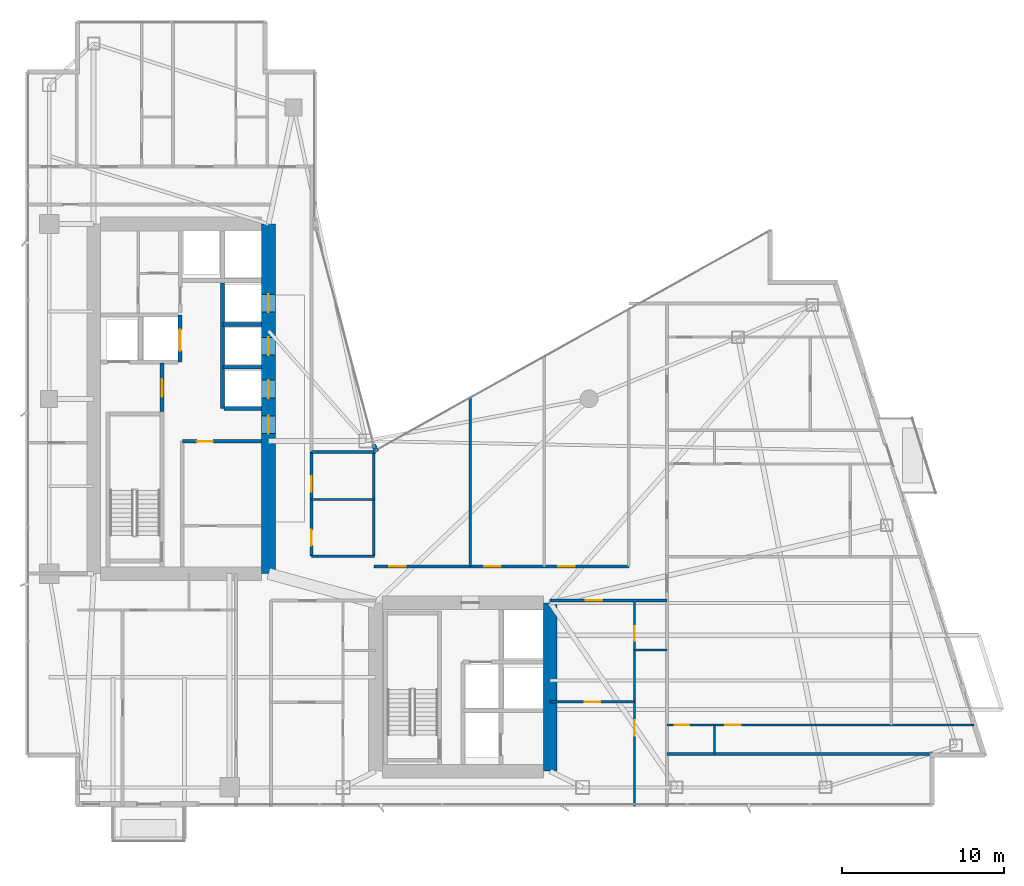
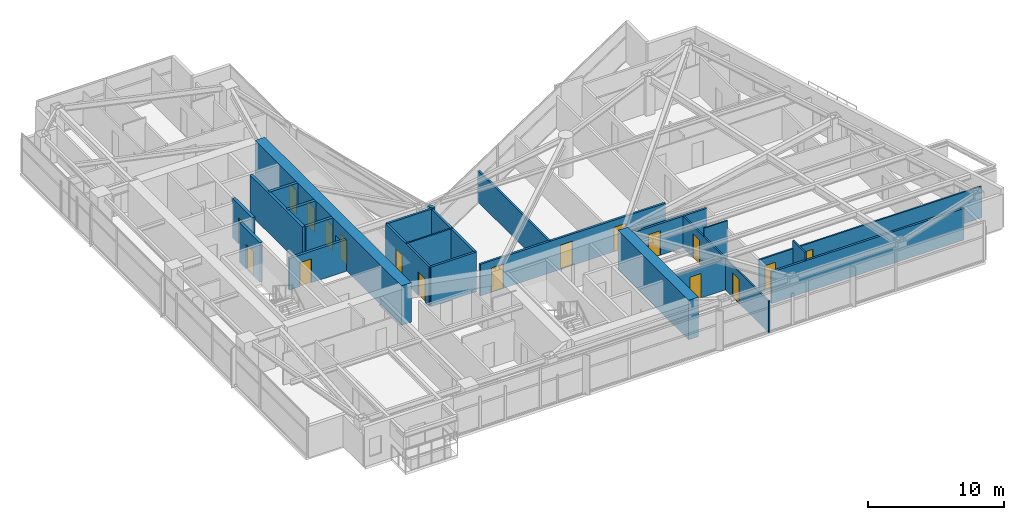
# One storey, part 23 of 28: 24 walls, 18 doors, 18 openings.
"""IFC4 building model written with IfcOpenShell, lengths in metres."""

from ifc_helpers import new_model, si_unit, direction, frame, frame_2d, origin, place, context, subcontext, project, spatial, rectangle, extrude, material, layer, layer_set, type_object, element, fill, save


model = new_model("IFC4")

# Units and contexts
model_context = context("Model", 3, precision=1e-05, world=origin(), true_north=direction((0.0, 1.0)))
body_context = subcontext(model_context, "Body", "Model", "MODEL_VIEW")
ifc_project = project(units=[si_unit("LENGTHUNIT", "METRE"), si_unit("AREAUNIT", "SQUARE_METRE"), si_unit("VOLUMEUNIT", "CUBIC_METRE"), si_unit("PLANEANGLEUNIT", "RADIAN"), si_unit("MASSUNIT", "GRAM", prefix="KILO")], contexts=[model_context])

# Site, building, storey
site_placement = place(None, origin())
site = spatial("IfcSite", under=ifc_project, at=site_placement, CompositionType="ELEMENT")
building_placement = place(site_placement, origin())
building = spatial("IfcBuilding", under=site, at=building_placement, Name="Calvorn Quay Hotel", CompositionType="ELEMENT")
storey_placement = place(building_placement, frame((0.0, 0.0, 116.39990234375)))
storey = spatial("IfcBuildingStorey", under=building, at=storey_placement, Name="L28", CompositionType="ELEMENT", Elevation=116.39990234375)

# Wall, openings, doors
ifc_material_1 = material(Name="Concrete C50", Category="concrete")
ifc_layer_1 = layer(ifc_material_1, 0.85009765625)
ifc_layer_set_1 = layer_set([ifc_layer_1], Name="WL-CORE-850")
wall_type_1 = type_object("IfcWallType", Name="WL-CORE-850", PredefinedType="SHEAR", material=ifc_layer_set_1)
wall_1_placement = place(storey_placement, frame((15.0, 16.800048828125, 0.0), z_axis=(0.0, 0.0, 1.0), x_axis=(0.0, 1.0, 0.0)))
wall_1 = element("IfcWall", 1, at=wall_1_placement, inside=storey, type_object=wall_type_1, Name="West Core Shear Wall E (L28)", PredefinedType="SHEAR", context=body_context, shape_type="SweptSolid", body=[
    extrude(rectangle(XDim=21.599853515625, YDim=0.85009765625, at=frame_2d((10.7998046875, 0.0))), origin(), (0.0, 0.0, 1.0), 3.56005859375),
])
opening_1_placement = place(wall_1_placement, frame((8.64990234375, 0.0, 0.0)))
opening_1 = element("IfcOpeningElement", 2, at=opening_1_placement, cuts=wall_1, Name="Opening D-L28-CW1", PredefinedType="OPENING", context=body_context, shape_type="SweptSolid", body=[
    extrude(rectangle(XDim=1.10009765625, YDim=2.199951171875, at=frame_2d((0.550048828125, 1.10009765625))), frame((0.0, 0.43505859375, 0.0), z_axis=(0.0, -1.0, 0.0), x_axis=(1.0, 0.0, 0.0)), (0.0, 0.0, 1.0), 0.8701171875),
])
opening_2_placement = place(wall_1_placement, frame((10.85009765625, 0.0, 0.0)))
opening_2 = element("IfcOpeningElement", 3, at=opening_2_placement, cuts=wall_1, Name="Opening LD-L28-M1", PredefinedType="OPENING", context=body_context, shape_type="SweptSolid", body=[
    extrude(rectangle(XDim=1.10009765625, YDim=2.199951171875, at=frame_2d((0.550048828125, 1.10009765625))), frame((0.0, 0.43505859375, 0.0), z_axis=(0.0, -1.0, 0.0), x_axis=(1.0, 0.0, 0.0)), (0.0, 0.0, 1.0), 0.8701171875),
])
opening_3_placement = place(wall_1_placement, frame((13.5, 0.0, 0.0)))
opening_3 = element("IfcOpeningElement", 4, at=opening_3_placement, cuts=wall_1, Name="Opening LD-L28-M2", PredefinedType="OPENING", context=body_context, shape_type="SweptSolid", body=[
    extrude(rectangle(XDim=1.10009765625, YDim=2.199951171875, at=frame_2d((0.550048828125, 1.10009765625))), frame((0.0, 0.43505859375, 0.0), z_axis=(0.0, -1.0, 0.0), x_axis=(1.0, 0.0, 0.0)), (0.0, 0.0, 1.0), 0.8701171875),
])
opening_4_placement = place(wall_1_placement, frame((16.14990234375, 0.0, 0.0)))
opening_4 = element("IfcOpeningElement", 5, at=opening_4_placement, cuts=wall_1, Name="Opening LD-L28-M3", PredefinedType="OPENING", context=body_context, shape_type="SweptSolid", body=[
    extrude(rectangle(XDim=1.10009765625, YDim=2.199951171875, at=frame_2d((0.550048828125, 1.10009765625))), frame((0.0, 0.43505859375, 0.0), z_axis=(0.0, -1.0, 0.0), x_axis=(1.0, 0.0, 0.0)), (0.0, 0.0, 1.0), 0.8701171875),
])
ifc_material_2 = material(Name="Smoke-Sealed Steel Class A Fire Door", Category="steel")
door_type_1 = type_object("IfcDoorType", Name="DR-FFLOBBY-1100", OperationType="NOTDEFINED", PredefinedType="DOOR", material=ifc_material_2)
door_1_placement = place(opening_1_placement, origin())
door_1 = element("IfcDoor", 6, at=door_1_placement, inside=storey, type_object=door_type_1, Name="West Core Vestibule Fire Door (L28)", OperationType="SINGLE_SWING_LEFT", OverallHeight=2.199951171875, OverallWidth=1.10009765625, PredefinedType="DOOR", context=body_context, shape_type="SweptSolid", body=[
    extrude(rectangle(XDim=1.10009765625, YDim=2.199951171875, at=frame_2d((0.550048828125, 1.10009765625))), frame((0.0, 0.02490234375, 0.0), z_axis=(0.0, -1.0, 0.0), x_axis=(1.0, 0.0, 0.0)), (0.0, 0.0, 1.0), 0.050048828125),
])
fill(opening_1, door_1)
ifc_material_3 = material(Name="Brushed Stainless Steel Sliding Lift Landing Door", Category="steel")
door_type_2 = type_object("IfcDoorType", Name="DR-LIFT-PASS-1100", OperationType="NOTDEFINED", PredefinedType="DOOR", material=ifc_material_3)
door_2_placement = place(opening_2_placement, origin())
door_2 = element("IfcDoor", 7, at=door_2_placement, inside=storey, type_object=door_type_2, Name="Mid-Rise Lift PL-M1 Landing Door (L28)", OperationType="DOUBLE_DOOR_SLIDING", OverallHeight=2.199951171875, OverallWidth=1.10009765625, PredefinedType="DOOR", context=body_context, shape_type="SweptSolid", body=[
    extrude(rectangle(XDim=1.10009765625, YDim=2.199951171875, at=frame_2d((0.550048828125, 1.10009765625))), frame((0.0, 0.02490234375, 0.0), z_axis=(0.0, -1.0, 0.0), x_axis=(1.0, 0.0, 0.0)), (0.0, 0.0, 1.0), 0.050048828125),
])
fill(opening_2, door_2)
door_3_placement = place(opening_3_placement, origin())
door_3 = element("IfcDoor", 8, at=door_3_placement, inside=storey, type_object=door_type_2, Name="Mid-Rise Lift PL-M2 Landing Door (L28)", OperationType="DOUBLE_DOOR_SLIDING", OverallHeight=2.199951171875, OverallWidth=1.10009765625, PredefinedType="DOOR", context=body_context, shape_type="SweptSolid", body=[
    extrude(rectangle(XDim=1.10009765625, YDim=2.199951171875, at=frame_2d((0.550048828125, 1.10009765625))), frame((0.0, 0.02490234375, 0.0), z_axis=(0.0, -1.0, 0.0), x_axis=(1.0, 0.0, 0.0)), (0.0, 0.0, 1.0), 0.050048828125),
])
fill(opening_3, door_3)
door_4_placement = place(opening_4_placement, origin())
door_4 = element("IfcDoor", 9, at=door_4_placement, inside=storey, type_object=door_type_2, Name="Mid-Rise Lift PL-M3 Landing Door (L28)", OperationType="DOUBLE_DOOR_SLIDING", OverallHeight=2.199951171875, OverallWidth=1.10009765625, PredefinedType="DOOR", context=body_context, shape_type="SweptSolid", body=[
    extrude(rectangle(XDim=1.10009765625, YDim=2.199951171875, at=frame_2d((0.550048828125, 1.10009765625))), frame((0.0, 0.02490234375, 0.0), z_axis=(0.0, -1.0, 0.0), x_axis=(1.0, 0.0, 0.0)), (0.0, 0.0, 1.0), 0.050048828125),
])
fill(opening_4, door_4)

# Walls
wall_2_placement = place(storey_placement, frame((32.39990234375, 4.60009765625, 0.0), z_axis=(0.0, 0.0, 1.0), x_axis=(0.0, 1.0, 0.0)))
element("IfcWall", 10, at=wall_2_placement, inside=storey, type_object=wall_type_1, Name="East Core Shear Wall E (L28)", PredefinedType="SHEAR", context=body_context, shape_type="SweptSolid", body=[
    extrude(rectangle(XDim=10.39990234375, YDim=0.85009765625, at=frame_2d((5.199951171875, 0.0))), origin(), (0.0, 0.0, 1.0), 3.56005859375),
])
ifc_material_4 = material(Name="Acoustic Fireboard Steel-Stud Partition", Category="steel")
ifc_layer_2 = layer(ifc_material_4, 0.179931640625)
ifc_layer_set_2 = layer_set([ifc_layer_2], Name="WL-CORR-FIRE-180")
wall_type_2 = type_object("IfcWallType", Name="WL-CORR-FIRE-180", PredefinedType="PARTITIONING", material=ifc_layer_set_2)
wall_3_placement = place(storey_placement, frame((17.64990234375, 17.8798828125, 0.0), z_axis=(0.0, 0.0, 1.0), x_axis=(1.0, 0.0, 0.0)))
element("IfcWall", 11, at=wall_3_placement, inside=storey, type_object=wall_type_2, Name="Partition Wall L28-WL-HK-S", PredefinedType="PARTITIONING", context=body_context, shape_type="SweptSolid", body=[
    extrude(rectangle(XDim=3.900146484375, YDim=0.179931640625, at=frame_2d((1.9501953125, 0.0))), origin(), (0.0, 0.0, 1.0), 3.56005859375),
])
wall_4_placement = place(storey_placement, frame((17.64990234375, 24.320068359375, 0.0), z_axis=(0.0, 0.0, 1.0), x_axis=(1.0, 0.0, 0.0)))
element("IfcWall", 12, at=wall_4_placement, inside=storey, type_object=wall_type_2, Name="Partition Wall L28-WL-HK-N", PredefinedType="PARTITIONING", context=body_context, shape_type="SweptSolid", body=[
    extrude(rectangle(XDim=3.9501953125, YDim=0.179931640625, at=frame_2d((1.97509765625, 0.0))), origin(), (0.0, 0.0, 1.0), 3.56005859375),
])
wall_5_placement = place(storey_placement, frame((21.5, 17.8798828125, 0.0), z_axis=(0.0, 0.0, 1.0), x_axis=(0.0, 1.0, 0.0)))
element("IfcWall", 13, at=wall_5_placement, inside=storey, type_object=wall_type_2, Name="Partition Wall L28-WL-HK-E", PredefinedType="PARTITIONING", context=body_context, shape_type="SweptSolid", body=[
    extrude(rectangle(XDim=6.440185546875, YDim=0.179931640625, at=frame_2d((3.22021484375, 0.0))), origin(), (0.0, 0.0, 1.0), 3.56005859375),
])

# Wall, openings, doors
wall_6_placement = place(storey_placement, frame((17.64990234375, 17.8798828125, 0.0), z_axis=(0.0, 0.0, 1.0), x_axis=(0.0, 1.0, 0.0)))
wall_6 = element("IfcWall", 14, at=wall_6_placement, inside=storey, type_object=wall_type_2, Name="Partition Wall L28-WL-HK-W", PredefinedType="PARTITIONING", context=body_context, shape_type="SweptSolid", body=[
    extrude(rectangle(XDim=6.440185546875, YDim=0.179931640625, at=frame_2d((3.22021484375, 0.0))), origin(), (0.0, 0.0, 1.0), 3.56005859375),
])
opening_5_placement = place(wall_6_placement, frame((0.64990234375, 0.0, 0.0)))
opening_5 = element("IfcOpeningElement", 15, at=opening_5_placement, cuts=wall_6, Name="Opening D-L28-HK", PredefinedType="OPENING", context=body_context, shape_type="SweptSolid", body=[
    extrude(rectangle(XDim=0.97998046875, YDim=2.14990234375, at=frame_2d((0.489990234375, 1.074951171875))), frame((0.0, 0.099853515625, 0.0), z_axis=(0.0, -1.0, 0.0), x_axis=(1.0, 0.0, 0.0)), (0.0, 0.0, 1.0), 0.199951171875),
])
opening_6_placement = place(wall_6_placement, frame((3.969970703125, 0.0, 0.0)))
opening_6 = element("IfcOpeningElement", 16, at=opening_6_placement, cuts=wall_6, Name="Opening D-L28-NCP", PredefinedType="OPENING", context=body_context, shape_type="SweptSolid", body=[
    extrude(rectangle(XDim=0.9599609375, YDim=2.199951171875, at=frame_2d((0.47998046875, 1.10009765625))), frame((0.0, 0.099853515625, 0.0), z_axis=(0.0, -1.0, 0.0), x_axis=(1.0, 0.0, 0.0)), (0.0, 0.0, 1.0), 0.199951171875),
])
ifc_material_5 = material(Name="Painted Steel Housekeeping/Riser Fire Door", Category="steel")
door_type_3 = type_object("IfcDoorType", Name="DR-SERVICE-980", OperationType="NOTDEFINED", PredefinedType="DOOR", material=ifc_material_5)
door_5_placement = place(opening_5_placement, origin())
door_5 = element("IfcDoor", 17, at=door_5_placement, inside=storey, type_object=door_type_3, Name="Floor Housekeeping Door (L28)", OperationType="SINGLE_SWING_LEFT", OverallHeight=2.14990234375, OverallWidth=0.97998046875, PredefinedType="DOOR", context=body_context, shape_type="SweptSolid", body=[
    extrude(rectangle(XDim=0.97998046875, YDim=2.14990234375, at=frame_2d((0.489990234375, 1.074951171875))), frame((0.0, 0.02490234375, 0.0), z_axis=(0.0, -1.0, 0.0), x_axis=(1.0, 0.0, 0.0)), (0.0, 0.0, 1.0), 0.050048828125),
])
fill(opening_5, door_5)
ifc_material_6 = material(Name="Solid Timber Internal Suite Door", Category="wood")
door_type_4 = type_object("IfcDoorType", Name="DR-SUITE-INT-960", OperationType="NOTDEFINED", PredefinedType="DOOR", material=ifc_material_6)
door_6_placement = place(opening_6_placement, origin())
door_6 = element("IfcDoor", 18, at=door_6_placement, inside=storey, type_object=door_type_4, Name="Reading Alcove Door (L28)", OperationType="SINGLE_SWING_RIGHT", OverallHeight=2.199951171875, OverallWidth=0.9599609375, PredefinedType="DOOR", context=body_context, shape_type="SweptSolid", body=[
    extrude(rectangle(XDim=0.9599609375, YDim=2.199951171875, at=frame_2d((0.47998046875, 1.10009765625))), frame((0.0, 0.02490234375, 0.0), z_axis=(0.0, -1.0, 0.0), x_axis=(1.0, 0.0, 0.0)), (0.0, 0.0, 1.0), 0.050048828125),
])
fill(opening_6, door_6)

# Wall, opening, door
wall_7_placement = place(storey_placement, frame((32.39990234375, 15.14990234375, 0.0), z_axis=(0.0, 0.0, 1.0), x_axis=(1.0, 0.0, 0.0)))
wall_7 = element("IfcWall", 19, at=wall_7_placement, inside=storey, type_object=wall_type_2, Name="Partition Wall L28-WL-CORR-SE-S", PredefinedType="PARTITIONING", context=body_context, shape_type="SweptSolid", body=[
    extrude(rectangle(XDim=7.2001953125, YDim=0.179931640625, at=frame_2d((3.60009765625, 0.0))), origin(), (0.0, 0.0, 1.0), 2.840087890625),
])
opening_7_placement = place(wall_7_placement, frame((2.18994140625, 0.0, 0.0)))
opening_7 = element("IfcOpeningElement", 20, at=opening_7_placement, cuts=wall_7, Name="Opening D-L28-U05", PredefinedType="OPENING", context=body_context, shape_type="SweptSolid", body=[
    extrude(rectangle(XDim=1.02001953125, YDim=2.199951171875, at=frame_2d((0.510009765625, 1.10009765625))), frame((0.0, 0.099853515625, 0.0), z_axis=(0.0, -1.0, 0.0), x_axis=(1.0, 0.0, 0.0)), (0.0, 0.0, 1.0), 0.199951171875),
])
ifc_material_7 = material(Name="Solid-Core Walnut Veneer Hotel Fire Door")
door_type_5 = type_object("IfcDoorType", Name="DR-GUEST-ENTRY-1020", OperationType="NOTDEFINED", PredefinedType="DOOR", material=ifc_material_7)
door_7_placement = place(opening_7_placement, origin())
door_7 = element("IfcDoor", 21, at=door_7_placement, inside=storey, type_object=door_type_5, Name="South-East Unit Door U05 (L28)", OperationType="SINGLE_SWING_LEFT", OverallHeight=2.199951171875, OverallWidth=1.02001953125, PredefinedType="DOOR", context=body_context, shape_type="SweptSolid", body=[
    extrude(rectangle(XDim=1.02001953125, YDim=2.199951171875, at=frame_2d((0.510009765625, 1.10009765625))), frame((0.0, 0.02490234375, 0.0), z_axis=(0.0, -1.0, 0.0), x_axis=(1.0, 0.0, 0.0)), (0.0, 0.0, 1.0), 0.050048828125),
])
fill(opening_7, door_7)

# Wall, openings, doors
wall_8_placement = place(storey_placement, frame((21.5, 17.25, 0.0), z_axis=(0.0, 0.0, 1.0), x_axis=(1.0, 0.0, 0.0)))
wall_8 = element("IfcWall", 22, at=wall_8_placement, inside=storey, type_object=wall_type_2, Name="Partition Wall L28-WL-CORR-NE-N", PredefinedType="PARTITIONING", context=body_context, shape_type="SweptSolid", body=[
    extrude(rectangle(XDim=15.75, YDim=0.179931640625, at=frame_2d((7.875, 0.0))), origin(), (0.0, 0.0, 1.0), 2.840087890625),
])
opening_8_placement = place(wall_8_placement, frame((0.949951171875, 0.0, 0.0)))
opening_8 = element("IfcOpeningElement", 23, at=opening_8_placement, cuts=wall_8, Name="Opening D-L28-NS1", PredefinedType="OPENING", context=body_context, shape_type="SweptSolid", body=[
    extrude(rectangle(XDim=1.02001953125, YDim=2.199951171875, at=frame_2d((0.510009765625, 1.10009765625))), frame((0.0, 0.099853515625, 0.0), z_axis=(0.0, -1.0, 0.0), x_axis=(1.0, 0.0, 0.0)), (0.0, 0.0, 1.0), 0.199951171875),
])
opening_9_placement = place(wall_8_placement, frame((6.820068359375, 0.0, 0.0)))
opening_9 = element("IfcOpeningElement", 24, at=opening_9_placement, cuts=wall_8, Name="Opening D-L28-NS2", PredefinedType="OPENING", context=body_context, shape_type="SweptSolid", body=[
    extrude(rectangle(XDim=1.02001953125, YDim=2.199951171875, at=frame_2d((0.510009765625, 1.10009765625))), frame((0.0, 0.099853515625, 0.0), z_axis=(0.0, -1.0, 0.0), x_axis=(1.0, 0.0, 0.0)), (0.0, 0.0, 1.0), 0.199951171875),
])
opening_10_placement = place(wall_8_placement, frame((11.3798828125, 0.0, 0.0)))
opening_10 = element("IfcOpeningElement", 25, at=opening_10_placement, cuts=wall_8, Name="Opening D-L28-NS3", PredefinedType="OPENING", context=body_context, shape_type="SweptSolid", body=[
    extrude(rectangle(XDim=1.02001953125, YDim=2.199951171875, at=frame_2d((0.510009765625, 1.10009765625))), frame((0.0, 0.099853515625, 0.0), z_axis=(0.0, -1.0, 0.0), x_axis=(1.0, 0.0, 0.0)), (0.0, 0.0, 1.0), 0.199951171875),
])
door_8_placement = place(opening_8_placement, origin())
door_8 = element("IfcDoor", 26, at=door_8_placement, inside=storey, type_object=door_type_5, Name="Conservatory Salon Door 1 (L28)", OperationType="SINGLE_SWING_RIGHT", OverallHeight=2.199951171875, OverallWidth=1.02001953125, PredefinedType="DOOR", context=body_context, shape_type="SweptSolid", body=[
    extrude(rectangle(XDim=1.02001953125, YDim=2.199951171875, at=frame_2d((0.510009765625, 1.10009765625))), frame((0.0, 0.02490234375, 0.0), z_axis=(0.0, -1.0, 0.0), x_axis=(1.0, 0.0, 0.0)), (0.0, 0.0, 1.0), 0.050048828125),
])
fill(opening_8, door_8)
door_9_placement = place(opening_9_placement, origin())
door_9 = element("IfcDoor", 27, at=door_9_placement, inside=storey, type_object=door_type_5, Name="Conservatory Salon Door 2 (L28)", OperationType="SINGLE_SWING_LEFT", OverallHeight=2.199951171875, OverallWidth=1.02001953125, PredefinedType="DOOR", context=body_context, shape_type="SweptSolid", body=[
    extrude(rectangle(XDim=1.02001953125, YDim=2.199951171875, at=frame_2d((0.510009765625, 1.10009765625))), frame((0.0, 0.02490234375, 0.0), z_axis=(0.0, -1.0, 0.0), x_axis=(1.0, 0.0, 0.0)), (0.0, 0.0, 1.0), 0.050048828125),
])
fill(opening_9, door_9)
door_10_placement = place(opening_10_placement, origin())
door_10 = element("IfcDoor", 28, at=door_10_placement, inside=storey, type_object=door_type_5, Name="Conservatory Salon Door 3 (L28)", OperationType="SINGLE_SWING_RIGHT", OverallHeight=2.199951171875, OverallWidth=1.02001953125, PredefinedType="DOOR", context=body_context, shape_type="SweptSolid", body=[
    extrude(rectangle(XDim=1.02001953125, YDim=2.199951171875, at=frame_2d((0.510009765625, 1.10009765625))), frame((0.0, 0.02490234375, 0.0), z_axis=(0.0, -1.0, 0.0), x_axis=(1.0, 0.0, 0.0)), (0.0, 0.0, 1.0), 0.050048828125),
])
fill(opening_10, door_10)

# Walls
wall_9_placement = place(storey_placement, frame((39.60009765625, 5.659912109375, 0.0), z_axis=(0.0, 0.0, 1.0), x_axis=(1.0, 0.0, 0.0)))
element("IfcWall", 29, at=wall_9_placement, inside=storey, type_object=wall_type_2, Name="Partition Wall L28-WL-TIP-S", PredefinedType="PARTITIONING", context=body_context, shape_type="SweptSolid", body=[
    extrude(rectangle(XDim=16.39990234375, YDim=0.179931640625, at=frame_2d((8.199951171875, 0.0))), origin(), (0.0, 0.0, 1.0), 2.840087890625),
])
ifc_material_8 = material(Name="Moisture-Resistant Tile-Backed Partition")
ifc_layer_3 = layer(ifc_material_8, 0.125)
ifc_layer_set_3 = layer_set([ifc_layer_3], Name="WL-ENSUITE-125")
wall_type_3 = type_object("IfcWallType", Name="WL-ENSUITE-125", PredefinedType="PARTITIONING", material=ifc_layer_set_3)
wall_10_placement = place(storey_placement, frame((17.64990234375, 21.3798828125, 0.0), z_axis=(0.0, 0.0, 1.0), x_axis=(1.0, 0.0, 0.0)))
element("IfcWall", 30, at=wall_10_placement, inside=storey, type_object=wall_type_3, Name="Partition Wall L28-WL-HK-M", PredefinedType="PARTITIONING", context=body_context, shape_type="SweptSolid", body=[
    extrude(rectangle(XDim=3.900146484375, YDim=0.125, at=frame_2d((1.9501953125, 0.0))), origin(), (0.0, 0.0, 1.0), 3.56005859375),
])
wall_11_placement = place(storey_placement, frame((37.60009765625, 12.10009765625, 0.0), z_axis=(0.0, 0.0, 1.0), x_axis=(1.0, 0.0, 0.0)))
element("IfcWall", 31, at=wall_11_placement, inside=storey, type_object=wall_type_3, Name="Partition Wall L28-WL-U05-BDV", PredefinedType="PARTITIONING", context=body_context, shape_type="SweptSolid", body=[
    extrude(rectangle(XDim=2.0, YDim=0.125, at=frame_2d((1.0, 0.0))), origin(), (0.0, 0.0, 1.0), 3.56005859375),
])

# Wall, openings, doors
wall_12_placement = place(storey_placement, frame((37.60009765625, 2.43994140625, 0.0), z_axis=(0.0, 0.0, 1.0), x_axis=(0.0, 1.0, 0.0)))
wall_12 = element("IfcWall", 32, at=wall_12_placement, inside=storey, type_object=wall_type_3, Name="Partition Wall L28-WL-U05-BV", PredefinedType="PARTITIONING", context=body_context, shape_type="SweptSolid", body=[
    extrude(rectangle(XDim=12.7099609375, YDim=0.125, at=frame_2d((6.35498046875, 0.0))), origin(), (0.0, 0.0, 1.0), 2.840087890625),
])
opening_11_placement = place(wall_12_placement, frame((4.35009765625, 0.0, 0.0)))
opening_11 = element("IfcOpeningElement", 33, at=opening_11_placement, cuts=wall_12, Name="Opening D-L28-S05", PredefinedType="OPENING", context=body_context, shape_type="SweptSolid", body=[
    extrude(rectangle(XDim=0.9599609375, YDim=2.199951171875, at=frame_2d((0.47998046875, 1.10009765625))), frame((0.0, 0.072509765625, 0.0), z_axis=(0.0, -1.0, 0.0), x_axis=(1.0, 0.0, 0.0)), (0.0, 0.0, 1.0), 0.14501953125),
])
opening_12_placement = place(wall_12_placement, frame((10.2099609375, 0.0, 0.0)))
opening_12 = element("IfcOpeningElement", 34, at=opening_12_placement, cuts=wall_12, Name="Opening D-L28-E05", PredefinedType="OPENING", context=body_context, shape_type="SweptSolid", body=[
    extrude(rectangle(XDim=0.89990234375, YDim=2.14990234375, at=frame_2d((0.449951171875, 1.074951171875))), frame((0.0, 0.072509765625, 0.0), z_axis=(0.0, -1.0, 0.0), x_axis=(1.0, 0.0, 0.0)), (0.0, 0.0, 1.0), 0.14501953125),
])
ifc_material_9 = material(Name="Moisture-Sealed Timber En-Suite Door", Category="wood")
door_type_6 = type_object("IfcDoorType", Name="DR-ENSUITE-900", OperationType="NOTDEFINED", PredefinedType="DOOR", material=ifc_material_9)
door_11_placement = place(opening_12_placement, origin())
door_11 = element("IfcDoor", 35, at=door_11_placement, inside=storey, type_object=door_type_6, Name="En-Suite Door 05", OperationType="SINGLE_SWING_RIGHT", OverallHeight=2.14990234375, OverallWidth=0.89990234375, PredefinedType="DOOR", context=body_context, shape_type="SweptSolid", body=[
    extrude(rectangle(XDim=0.89990234375, YDim=2.14990234375, at=frame_2d((0.449951171875, 1.074951171875))), frame((0.0, 0.02490234375, 0.0), z_axis=(0.0, -1.0, 0.0), x_axis=(1.0, 0.0, 0.0)), (0.0, 0.0, 1.0), 0.050048828125),
])
fill(opening_12, door_11)
door_12_placement = place(opening_11_placement, origin())
door_12 = element("IfcDoor", 36, at=door_12_placement, inside=storey, type_object=door_type_4, Name="Executive Study Door 05", OperationType="SINGLE_SWING_LEFT", OverallHeight=2.199951171875, OverallWidth=0.9599609375, PredefinedType="DOOR", context=body_context, shape_type="SweptSolid", body=[
    extrude(rectangle(XDim=0.9599609375, YDim=2.199951171875, at=frame_2d((0.47998046875, 1.10009765625))), frame((0.0, 0.02490234375, 0.0), z_axis=(0.0, -1.0, 0.0), x_axis=(1.0, 0.0, 0.0)), (0.0, 0.0, 1.0), 0.050048828125),
])
fill(opening_11, door_12)

# Wall
wall_13_placement = place(storey_placement, frame((42.550048828125, 5.659912109375, 0.0), z_axis=(0.0, 0.0, 1.0), x_axis=(0.0, 1.0, 0.0)))
element("IfcWall", 37, at=wall_13_placement, inside=storey, type_object=wall_type_3, Name="Partition Wall L28-WL-U06-BDV", PredefinedType="PARTITIONING", context=body_context, shape_type="SweptSolid", body=[
    extrude(rectangle(XDim=1.7900390625, YDim=0.125, at=frame_2d((0.89501953125, 0.0))), origin(), (0.0, 0.0, 1.0), 3.56005859375),
])

# Wall, openings, doors
wall_14_placement = place(storey_placement, frame((39.60009765625, 7.449951171875, 0.0), z_axis=(0.0, 0.0, 1.0), x_axis=(1.0, 0.0, 0.0)))
wall_14 = element("IfcWall", 38, at=wall_14_placement, inside=storey, type_object=wall_type_3, Name="Partition Wall L28-WL-U06-BH", PredefinedType="PARTITIONING", context=body_context, shape_type="SweptSolid", body=[
    extrude(rectangle(XDim=18.9599609375, YDim=0.125, at=frame_2d((9.47998046875, 0.0))), origin(), (0.0, 0.0, 1.0), 2.840087890625),
])
opening_13_placement = place(wall_14_placement, frame((0.5, 0.0, 0.0)))
opening_13 = element("IfcOpeningElement", 39, at=opening_13_placement, cuts=wall_14, Name="Opening D-L28-E06", PredefinedType="OPENING", context=body_context, shape_type="SweptSolid", body=[
    extrude(rectangle(XDim=0.89990234375, YDim=2.14990234375, at=frame_2d((0.449951171875, 1.074951171875))), frame((0.0, 0.072509765625, 0.0), z_axis=(0.0, -1.0, 0.0), x_axis=(1.0, 0.0, 0.0)), (0.0, 0.0, 1.0), 0.14501953125),
])
opening_14_placement = place(wall_14_placement, frame((3.60009765625, 0.0, 0.0)))
opening_14 = element("IfcOpeningElement", 40, at=opening_14_placement, cuts=wall_14, Name="Opening D-L28-S06", PredefinedType="OPENING", context=body_context, shape_type="SweptSolid", body=[
    extrude(rectangle(XDim=0.9599609375, YDim=2.199951171875, at=frame_2d((0.47998046875, 1.10009765625))), frame((0.0, 0.072509765625, 0.0), z_axis=(0.0, -1.0, 0.0), x_axis=(1.0, 0.0, 0.0)), (0.0, 0.0, 1.0), 0.14501953125),
])
door_13_placement = place(opening_13_placement, origin())
door_13 = element("IfcDoor", 41, at=door_13_placement, inside=storey, type_object=door_type_6, Name="En-Suite Door 06", OperationType="SINGLE_SWING_LEFT", OverallHeight=2.14990234375, OverallWidth=0.89990234375, PredefinedType="DOOR", context=body_context, shape_type="SweptSolid", body=[
    extrude(rectangle(XDim=0.89990234375, YDim=2.14990234375, at=frame_2d((0.449951171875, 1.074951171875))), frame((0.0, 0.02490234375, 0.0), z_axis=(0.0, -1.0, 0.0), x_axis=(1.0, 0.0, 0.0)), (0.0, 0.0, 1.0), 0.050048828125),
])
fill(opening_13, door_13)
door_14_placement = place(opening_14_placement, origin())
door_14 = element("IfcDoor", 42, at=door_14_placement, inside=storey, type_object=door_type_4, Name="Executive Study Door 06", OperationType="SINGLE_SWING_RIGHT", OverallHeight=2.199951171875, OverallWidth=0.9599609375, PredefinedType="DOOR", context=body_context, shape_type="SweptSolid", body=[
    extrude(rectangle(XDim=0.9599609375, YDim=2.199951171875, at=frame_2d((0.47998046875, 1.10009765625))), frame((0.0, 0.02490234375, 0.0), z_axis=(0.0, -1.0, 0.0), x_axis=(1.0, 0.0, 0.0)), (0.0, 0.0, 1.0), 0.050048828125),
])
fill(opening_14, door_14)

# Wall
ifc_material_10 = material(Name="Concrete C40", Category="concrete")
ifc_layer_4 = layer(ifc_material_10, 0.320068359375)
ifc_layer_set_4 = layer_set([ifc_layer_4], Name="WL-EXT-SPANDREL-320")
wall_type_4 = type_object("IfcWallType", Name="WL-EXT-SPANDREL-320", PredefinedType="SOLIDWALL", material=ifc_layer_set_4)
wall_15_placement = place(storey_placement, frame((21.679931640625, 24.340087890625, 0.0), z_axis=(0.0, 0.0, 1.0), x_axis=(-0.40758134973, 0.913168901875, 0.0)))
element("IfcWall", 43, at=wall_15_placement, inside=storey, type_object=wall_type_4, Name="Inner Court Corner Pier L28-ICJ1", PredefinedType="SOLIDWALL", context=body_context, shape_type="SweptSolid", body=[
    extrude(rectangle(XDim=0.470703125, YDim=0.280029296875, at=frame_2d((0.2353515625, 0.0))), origin(), (0.0, 0.0, 1.0), 3.56005859375),
])

# Wall, opening, door
ifc_material_11 = material(Name="Double-Stud Acoustic Gypsum Partition")
ifc_layer_5 = layer(ifc_material_11, 0.159912109375)
ifc_layer_set_5 = layer_set([ifc_layer_5], Name="WL-INTERSUITE-160")
wall_type_5 = type_object("IfcWallType", Name="WL-INTERSUITE-160", PredefinedType="PARTITIONING", material=ifc_layer_set_5)
wall_16_placement = place(storey_placement, frame((32.39990234375, 8.8798828125, 0.0), z_axis=(0.0, 0.0, 1.0), x_axis=(1.0, 0.0, 0.0)))
wall_16 = element("IfcWall", 44, at=wall_16_placement, inside=storey, type_object=wall_type_5, Name="Partition Wall L28-WL-U05-MSP", PredefinedType="PARTITIONING", context=body_context, shape_type="SweptSolid", body=[
    extrude(rectangle(XDim=5.2001953125, YDim=0.159912109375, at=frame_2d((2.60009765625, 0.0))), origin(), (0.0, 0.0, 1.0), 2.840087890625),
])
opening_15_placement = place(wall_16_placement, frame((2.1201171875, 0.0, 0.0)))
opening_15 = element("IfcOpeningElement", 45, at=opening_15_placement, cuts=wall_16, Name="Opening D-L28-M05", PredefinedType="OPENING", context=body_context, shape_type="SweptSolid", body=[
    extrude(rectangle(XDim=0.9599609375, YDim=2.199951171875, at=frame_2d((0.47998046875, 1.10009765625))), frame((0.0, 0.08984375, 0.0), z_axis=(0.0, -1.0, 0.0), x_axis=(1.0, 0.0, 0.0)), (0.0, 0.0, 1.0), 0.179931640625),
])
door_15_placement = place(opening_15_placement, origin())
door_15 = element("IfcDoor", 46, at=door_15_placement, inside=storey, type_object=door_type_4, Name="Suite Bedroom Door 05", OperationType="SINGLE_SWING_LEFT", OverallHeight=2.199951171875, OverallWidth=0.9599609375, PredefinedType="DOOR", context=body_context, shape_type="SweptSolid", body=[
    extrude(rectangle(XDim=0.9599609375, YDim=2.199951171875, at=frame_2d((0.47998046875, 1.10009765625))), frame((0.0, 0.02490234375, 0.0), z_axis=(0.0, -1.0, 0.0), x_axis=(1.0, 0.0, 0.0)), (0.0, 0.0, 1.0), 0.050048828125),
])
fill(opening_15, door_15)

# Wall
wall_17_placement = place(storey_placement, frame((27.469970703125, 17.25, 0.0), z_axis=(0.0, 0.0, 1.0), x_axis=(0.0, 1.0, 0.0)))
element("IfcWall", 47, at=wall_17_placement, inside=storey, type_object=wall_type_5, Name="Partition Wall L28-WL-NE-DIV-1", PredefinedType="PARTITIONING", context=body_context, shape_type="SweptSolid", body=[
    extrude(rectangle(XDim=10.5, YDim=0.159912109375, at=frame_2d((5.25, 0.0))), origin(), (0.0, 0.0, 1.0), 2.840087890625),
])

# Wall, opening, door
ifc_material_12 = material(Name="Autoclaved Aerated Masonry Block", Category="masonry")
ifc_layer_6 = layer(ifc_material_12, 0.219970703125)
ifc_layer_set_6 = layer_set([ifc_layer_6], Name="WL-LOBBY-FIRE-220")
wall_type_6 = type_object("IfcWallType", Name="WL-LOBBY-FIRE-220", PredefinedType="SOLIDWALL", material=ifc_layer_set_6)
wall_18_placement = place(storey_placement, frame((9.679931640625, 24.969970703125, 0.0), z_axis=(0.0, 0.0, 1.0), x_axis=(1.0, 0.0, 0.0)))
wall_18 = element("IfcWall", 48, at=wall_18_placement, inside=storey, type_object=wall_type_6, Name="Partition Wall L28-WL-CWW-FR-N", PredefinedType="SOLIDWALL", context=body_context, shape_type="SweptSolid", body=[
    extrude(rectangle(XDim=4.875, YDim=0.219970703125, at=frame_2d((2.4375, 0.0))), origin(), (0.0, 0.0, 1.0), 2.840087890625),
])
opening_16_placement = place(wall_18_placement, frame((0.89990234375, 0.0, 0.0)))
opening_16 = element("IfcOpeningElement", 49, at=opening_16_placement, cuts=wall_18, Name="Opening D-L28-FRL2", PredefinedType="OPENING", context=body_context, shape_type="SweptSolid", body=[
    extrude(rectangle(XDim=0.97998046875, YDim=2.14990234375, at=frame_2d((0.489990234375, 1.074951171875))), frame((0.0, 0.119873046875, 0.0), z_axis=(0.0, -1.0, 0.0), x_axis=(1.0, 0.0, 0.0)), (0.0, 0.0, 1.0), 0.239990234375),
])
door_16_placement = place(opening_16_placement, origin())
door_16 = element("IfcDoor", 50, at=door_16_placement, inside=storey, type_object=door_type_3, Name="Beverage Pantry Door (L28)", OperationType="SINGLE_SWING_RIGHT", OverallHeight=2.14990234375, OverallWidth=0.97998046875, PredefinedType="DOOR", context=body_context, shape_type="SweptSolid", body=[
    extrude(rectangle(XDim=0.97998046875, YDim=2.14990234375, at=frame_2d((0.489990234375, 1.074951171875))), frame((0.0, 0.02490234375, 0.0), z_axis=(0.0, -1.0, 0.0), x_axis=(1.0, 0.0, 0.0)), (0.0, 0.0, 1.0), 0.050048828125),
])
fill(opening_16, door_16)

# Walls
ifc_material_13 = material(Name="Concrete C40", Category="concrete")
ifc_layer_7 = layer(ifc_material_13, 0.239990234375)
ifc_layer_set_7 = layer_set([ifc_layer_7], Name="WL-SHAFT-240")
wall_type_7 = type_object("IfcWallType", Name="WL-SHAFT-240", PredefinedType="SOLIDWALL", material=ifc_layer_set_7)
for number, where, z_axis, x_axis, name in (
    (51, (12.179931640625, 29.550048828125, 0.0), (0.0, 0.0, 1.0), (1.0, 0.0, 0.0), "Lift Hoistway Divider Wall PLM12 (L28)"),
    (52, (12.179931640625, 32.199951171875, 0.0), (0.0, 0.0, 1.0), (1.0, 0.0, 0.0), "Lift Hoistway Divider Wall PLM23 (L28)"),
):
    element("IfcWall", number, at=place(storey_placement, frame(where, z_axis=z_axis, x_axis=x_axis)), inside=storey, type_object=wall_type_7, Name=name, PredefinedType="SOLIDWALL", context=body_context, shape_type="SweptSolid", body=[
        extrude(rectangle(XDim=2.39501953125, YDim=0.239990234375, at=frame_2d((1.197509765625, 0.0))), origin(), (0.0, 0.0, 1.0), 3.56005859375),
    ])

# Wall, opening, door
wall_19_placement = place(storey_placement, frame((8.419921875, 26.820068359375, 0.0), z_axis=(0.0, 0.0, 1.0), x_axis=(0.0, 1.0, 0.0)))
wall_19 = element("IfcWall", 53, at=wall_19_placement, inside=storey, type_object=wall_type_7, Name="Partition Wall L28-WL-CWW-FFL-E", PredefinedType="SOLIDWALL", context=body_context, shape_type="SweptSolid", body=[
    extrude(rectangle(XDim=3.0, YDim=0.239990234375, at=frame_2d((1.5, 0.0))), origin(), (0.0, 0.0, 1.0), 3.56005859375),
])
opening_17_placement = place(wall_19_placement, frame((0.89990234375, 0.0, 0.0)))
opening_17 = element("IfcOpeningElement", 54, at=opening_17_placement, cuts=wall_19, Name="Opening D-L28-FLW", PredefinedType="OPENING", context=body_context, shape_type="SweptSolid", body=[
    extrude(rectangle(XDim=1.10009765625, YDim=2.199951171875, at=frame_2d((0.550048828125, 1.10009765625))), frame((0.0, 0.1298828125, 0.0), z_axis=(0.0, -1.0, 0.0), x_axis=(1.0, 0.0, 0.0)), (0.0, 0.0, 1.0), 0.260009765625),
])
door_17_placement = place(opening_17_placement, origin())
door_17 = element("IfcDoor", 55, at=door_17_placement, inside=storey, type_object=door_type_1, Name="West Firefighting Lobby Fire Door (L28)", OperationType="SINGLE_SWING_RIGHT", OverallHeight=2.199951171875, OverallWidth=1.10009765625, PredefinedType="DOOR", context=body_context, shape_type="SweptSolid", body=[
    extrude(rectangle(XDim=1.10009765625, YDim=2.199951171875, at=frame_2d((0.550048828125, 1.10009765625))), frame((0.0, 0.02490234375, 0.0), z_axis=(0.0, -1.0, 0.0), x_axis=(1.0, 0.0, 0.0)), (0.0, 0.0, 1.0), 0.050048828125),
])
fill(opening_17, door_17)

wall_20_placement = place(storey_placement, frame((9.5400390625, 29.8798828125, 0.0), z_axis=(0.0, 0.0, 1.0), x_axis=(0.0, 1.0, 0.0)))
wall_20 = element("IfcWall", 56, at=wall_20_placement, inside=storey, type_object=wall_type_7, Name="Partition Wall L28-WL-CWW-SLW-E", PredefinedType="SOLIDWALL", context=body_context, shape_type="SweptSolid", body=[
    extrude(rectangle(XDim=2.900146484375, YDim=0.239990234375, at=frame_2d((1.4501953125, 0.0))), origin(), (0.0, 0.0, 1.0), 3.56005859375),
])
opening_18_placement = place(wall_20_placement, frame((0.699951171875, 0.0, 0.0)))
opening_18 = element("IfcOpeningElement", 57, at=opening_18_placement, cuts=wall_20, Name="Opening LD-L28-SLW1", PredefinedType="OPENING", context=body_context, shape_type="SweptSolid", body=[
    extrude(rectangle(XDim=1.300048828125, YDim=2.35009765625, at=frame_2d((0.64990234375, 1.175048828125))), frame((0.0, 0.1298828125, 0.0), z_axis=(0.0, -1.0, 0.0), x_axis=(1.0, 0.0, 0.0)), (0.0, 0.0, 1.0), 0.260009765625),
])
ifc_material_14 = material(Name="Champagne-Bronze Sliding Express Lift Landing Door")
door_type_7 = type_object("IfcDoorType", Name="DR-LIFT-SHUTTLE-1300", OperationType="NOTDEFINED", PredefinedType="DOOR", material=ifc_material_14)
door_18_placement = place(opening_18_placement, origin())
door_18 = element("IfcDoor", 58, at=door_18_placement, inside=storey, type_object=door_type_7, Name="Service Lift SL-W1 Landing Door (L28)", OperationType="DOUBLE_DOOR_SLIDING", OverallHeight=2.35009765625, OverallWidth=1.300048828125, PredefinedType="DOOR", context=body_context, shape_type="SweptSolid", body=[
    extrude(rectangle(XDim=1.300048828125, YDim=2.35009765625, at=frame_2d((0.64990234375, 1.175048828125))), frame((0.0, 0.02490234375, 0.0), z_axis=(0.0, -1.0, 0.0), x_axis=(1.0, 0.0, 0.0)), (0.0, 0.0, 1.0), 0.050048828125),
])
fill(opening_18, door_18)

# Walls
wall_21_placement = place(storey_placement, frame((12.25, 27.0, 0.0), z_axis=(0.0, 0.0, 1.0), x_axis=(1.0, 0.0, 0.0)))
element("IfcWall", 59, at=wall_21_placement, inside=storey, type_object=wall_type_7, Name="Partition Wall L28-WL-CWW-PLM-S", PredefinedType="SOLIDWALL", context=body_context, shape_type="SweptSolid", body=[
    extrude(rectangle(XDim=2.304931640625, YDim=0.239990234375, at=frame_2d((1.15234375, 0.0))), origin(), (0.0, 0.0, 1.0), 3.56005859375),
])
wall_22_placement = place(storey_placement, frame((12.14990234375, 27.0, 0.0), z_axis=(0.0, 0.0, 1.0), x_axis=(0.0, 1.0, 0.0)))
element("IfcWall", 60, at=wall_22_placement, inside=storey, type_object=wall_type_7, Name="Partition Wall L28-WL-CWW-PLM-W", PredefinedType="SOLIDWALL", context=body_context, shape_type="SweptSolid", body=[
    extrude(rectangle(XDim=7.75, YDim=0.239990234375, at=frame_2d((3.875, 0.0))), origin(), (0.0, 0.0, 1.0), 3.56005859375),
])

save(model, "model.ifc")
